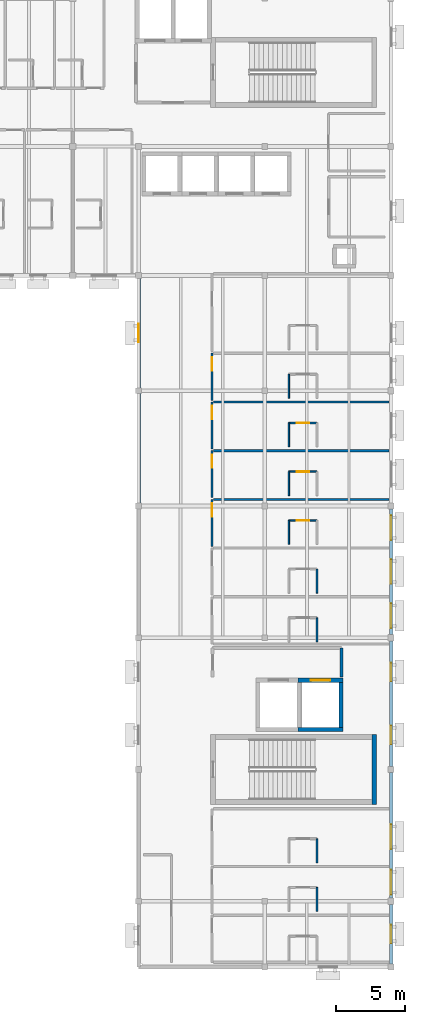
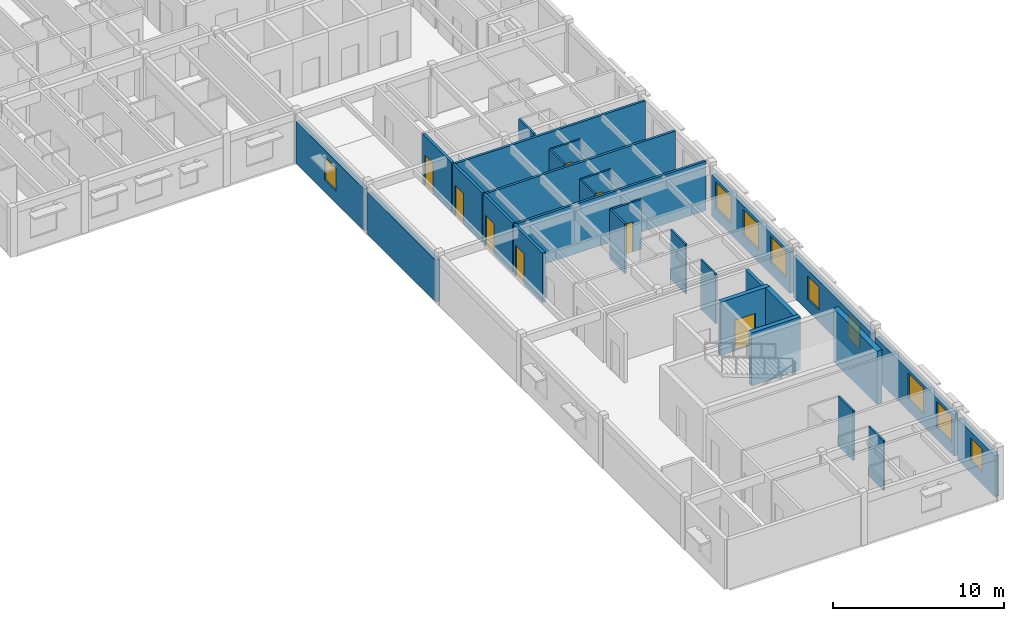
# One storey, part 6 of 14: 29 walls, 9 windows, 8 doors, 17 openings.
"""IFC4 building model written with IfcOpenShell, lengths in metres."""

from ifc_helpers import new_model, si_unit, direction, frame, frame_2d, origin, place, context, subcontext, project, spatial, rectangle, extrude, material, layer, layer_set, type_object, element, fill, save


model = new_model("IFC4")

# Units and contexts
model_context = context("Model", 3, precision=1e-05, world=origin(), true_north=direction((0.0, 1.0)))
body_context = subcontext(model_context, "Body", "Model", "MODEL_VIEW")
ifc_project = project(units=[si_unit("LENGTHUNIT", "METRE"), si_unit("AREAUNIT", "SQUARE_METRE"), si_unit("VOLUMEUNIT", "CUBIC_METRE"), si_unit("PLANEANGLEUNIT", "RADIAN"), si_unit("MASSUNIT", "GRAM", prefix="KILO")], contexts=[model_context])

# Site, building, storey
site_placement = place(None, origin())
site = spatial("IfcSite", under=ifc_project, at=site_placement, CompositionType="ELEMENT")
building_placement = place(site_placement, origin())
building = spatial("IfcBuilding", under=site, at=building_placement, Name="Veldera Park Congress Hotel", CompositionType="ELEMENT")
storey_placement = place(building_placement, frame((0.0, 0.0, 42.800048828125)))
storey = spatial("IfcBuildingStorey", under=building, at=storey_placement, Name="L10", CompositionType="ELEMENT", Elevation=42.800048828125)

# Wall, opening, window
ifc_material_1 = material(Name="Cross-laminated timber CLT V2M1.1", Category="wood")
ifc_layer_1 = layer(ifc_material_1, 0.264892578125)
ifc_layer_set_1 = layer_set([ifc_layer_1], Name="Cross-laminated timber CLT V2M1.1")
wall_type_1 = type_object("IfcWallType", Name="EW-CLT265", PredefinedType="STANDARD", material=ifc_layer_set_1)
wall_1_placement = place(storey_placement, frame((84.0, -23.177001953125, 0.0), z_axis=(0.0, 0.0, 1.0), x_axis=(0.0, 1.0, 0.0)))
wall_1 = element("IfcWall", 1, at=wall_1_placement, inside=storey, type_object=wall_type_1, Name="L10 Exterior Wall EW3-L10-0425", PredefinedType="STANDARD", context=body_context, shape_type="SweptSolid", body=[
    extrude(rectangle(XDim=4.35400390625, YDim=0.264892578125, at=frame_2d((2.177001953125, 0.0))), origin(), (0.0, 0.0, 1.0), 2.954833984375),
])
opening_1_placement = place(wall_1_placement, frame((1.501953125, 0.0, 0.85009765625)))
opening_1 = element("IfcOpeningElement", 2, at=opening_1_placement, cuts=wall_1, Name="Opening WIN-1350", PredefinedType="OPENING", context=body_context, shape_type="SweptSolid", body=[
    extrude(rectangle(XDim=1.35009765625, YDim=1.64990234375, at=frame_2d((0.675048828125, 0.824951171875))), frame((0.0, 0.14453125, 0.0), z_axis=(0.0, -1.0, 0.0), x_axis=(1.0, 0.0, 0.0)), (0.0, 0.0, 1.0), 0.288818359375),
])
ifc_material_2 = material(Name="Low-E Triple Insulating Glass Unit (SHGC 0.22)", Category="glass")
window_type_1 = type_object("IfcWindowType", Name="WIN-1350", PartitioningType="SINGLE_PANEL", PredefinedType="WINDOW", material=ifc_material_2)
window_1_placement = place(opening_1_placement, origin())
window_1 = element("IfcWindow", 3, at=window_1_placement, inside=storey, type_object=window_type_1, Name="L10 Window WIN-1350 327", OverallHeight=1.64990234375, OverallWidth=1.35009765625, PartitioningType="SINGLE_PANEL", PredefinedType="WINDOW", context=body_context, shape_type="SweptSolid", body=[
    extrude(rectangle(XDim=1.35009765625, YDim=1.64990234375, at=frame_2d((0.675048828125, 0.824951171875))), frame((0.0, 0.030029296875, 0.0), z_axis=(0.0, -1.0, 0.0), x_axis=(1.0, 0.0, 0.0)), (0.0, 0.0, 1.0), 0.06005859375),
])
fill(opening_1, window_1)

# Wall, openings, windows
wall_2_placement = place(storey_placement, frame((84.0, -18.376953125, 0.0), z_axis=(0.0, 0.0, 1.0), x_axis=(0.0, 1.0, 0.0)))
wall_2 = element("IfcWall", 4, at=wall_2_placement, inside=storey, type_object=wall_type_1, Name="L10 Exterior Wall EW3-L10-0426", PredefinedType="STANDARD", context=body_context, shape_type="SweptSolid", body=[
    extrude(rectangle(XDim=9.154052734375, YDim=0.264892578125, at=frame_2d((4.5771484375, 0.0))), origin(), (0.0, 0.0, 1.0), 2.954833984375),
])
opening_2_placement = place(wall_2_placement, frame((0.25341796875, 0.0, 0.85009765625)))
opening_2 = element("IfcOpeningElement", 5, at=opening_2_placement, cuts=wall_2, Name="Opening WIN-1800", PredefinedType="OPENING", context=body_context, shape_type="SweptSolid", body=[
    extrude(rectangle(XDim=1.800048828125, YDim=1.85009765625, at=frame_2d((0.89990234375, 0.925048828125))), frame((0.0, 0.14453125, 0.0), z_axis=(0.0, -1.0, 0.0), x_axis=(1.0, 0.0, 0.0)), (0.0, 0.0, 1.0), 0.288818359375),
])
opening_3_placement = place(wall_2_placement, frame((3.56689453125, 0.0, 0.85009765625)))
opening_3 = element("IfcOpeningElement", 6, at=opening_3_placement, cuts=wall_2, Name="Opening WIN-1800", PredefinedType="OPENING", context=body_context, shape_type="SweptSolid", body=[
    extrude(rectangle(XDim=1.800048828125, YDim=1.85009765625, at=frame_2d((0.89990234375, 0.925048828125))), frame((0.0, 0.14453125, 0.0), z_axis=(0.0, -1.0, 0.0), x_axis=(1.0, 0.0, 0.0)), (0.0, 0.0, 1.0), 0.288818359375),
])
window_type_2 = type_object("IfcWindowType", Name="WIN-1800", PartitioningType="SINGLE_PANEL", PredefinedType="WINDOW", material=ifc_material_2)
window_2_placement = place(opening_2_placement, origin())
window_2 = element("IfcWindow", 7, at=window_2_placement, inside=storey, type_object=window_type_2, Name="L10 Window WIN-1800 579", OverallHeight=1.85009765625, OverallWidth=1.800048828125, PartitioningType="SINGLE_PANEL", PredefinedType="WINDOW", context=body_context, shape_type="SweptSolid", body=[
    extrude(rectangle(XDim=1.800048828125, YDim=1.85009765625, at=frame_2d((0.89990234375, 0.925048828125))), frame((0.0, 0.030029296875, 0.0), z_axis=(0.0, -1.0, 0.0), x_axis=(1.0, 0.0, 0.0)), (0.0, 0.0, 1.0), 0.06005859375),
])
fill(opening_2, window_2)
window_3_placement = place(opening_3_placement, origin())
window_3 = element("IfcWindow", 8, at=window_3_placement, inside=storey, type_object=window_type_2, Name="L10 Window WIN-1800 580", OverallHeight=1.85009765625, OverallWidth=1.800048828125, PartitioningType="SINGLE_PANEL", PredefinedType="WINDOW", context=body_context, shape_type="SweptSolid", body=[
    extrude(rectangle(XDim=1.800048828125, YDim=1.85009765625, at=frame_2d((0.89990234375, 0.925048828125))), frame((0.0, 0.030029296875, 0.0), z_axis=(0.0, -1.0, 0.0), x_axis=(1.0, 0.0, 0.0)), (0.0, 0.0, 1.0), 0.06005859375),
])
fill(opening_3, window_3)

wall_3_placement = place(storey_placement, frame((84.0, -8.777099609375, 0.0), z_axis=(0.0, 0.0, 1.0), x_axis=(0.0, 1.0, 0.0)))
wall_3 = element("IfcWall", 9, at=wall_3_placement, inside=storey, type_object=wall_type_1, Name="L10 Exterior Wall EW3-L10-0427", PredefinedType="STANDARD", context=body_context, shape_type="SweptSolid", body=[
    extrude(rectangle(XDim=9.154052734375, YDim=0.264892578125, at=frame_2d((4.5771484375, 0.0))), origin(), (0.0, 0.0, 1.0), 2.954833984375),
])
opening_4_placement = place(wall_3_placement, frame((1.613525390625, 0.0, 0.85009765625)))
opening_4 = element("IfcOpeningElement", 10, at=opening_4_placement, cuts=wall_3, Name="Opening WIN-1350", PredefinedType="OPENING", context=body_context, shape_type="SweptSolid", body=[
    extrude(rectangle(XDim=1.35009765625, YDim=1.64990234375, at=frame_2d((0.675048828125, 0.824951171875))), frame((0.0, 0.14453125, 0.0), z_axis=(0.0, -1.0, 0.0), x_axis=(1.0, 0.0, 0.0)), (0.0, 0.0, 1.0), 0.288818359375),
])
opening_5_placement = place(wall_3_placement, frame((6.1904296875, 0.0, 0.85009765625)))
opening_5 = element("IfcOpeningElement", 11, at=opening_5_placement, cuts=wall_3, Name="Opening WIN-1350", PredefinedType="OPENING", context=body_context, shape_type="SweptSolid", body=[
    extrude(rectangle(XDim=1.35009765625, YDim=1.64990234375, at=frame_2d((0.675048828125, 0.824951171875))), frame((0.0, 0.14453125, 0.0), z_axis=(0.0, -1.0, 0.0), x_axis=(1.0, 0.0, 0.0)), (0.0, 0.0, 1.0), 0.288818359375),
])
window_4_placement = place(opening_4_placement, origin())
window_4 = element("IfcWindow", 12, at=window_4_placement, inside=storey, type_object=window_type_1, Name="L10 Window WIN-1350 328", OverallHeight=1.64990234375, OverallWidth=1.35009765625, PartitioningType="SINGLE_PANEL", PredefinedType="WINDOW", context=body_context, shape_type="SweptSolid", body=[
    extrude(rectangle(XDim=1.35009765625, YDim=1.64990234375, at=frame_2d((0.675048828125, 0.824951171875))), frame((0.0, 0.030029296875, 0.0), z_axis=(0.0, -1.0, 0.0), x_axis=(1.0, 0.0, 0.0)), (0.0, 0.0, 1.0), 0.06005859375),
])
fill(opening_4, window_4)
window_5_placement = place(opening_5_placement, origin())
window_5 = element("IfcWindow", 13, at=window_5_placement, inside=storey, type_object=window_type_1, Name="L10 Window WIN-1350 329", OverallHeight=1.64990234375, OverallWidth=1.35009765625, PartitioningType="SINGLE_PANEL", PredefinedType="WINDOW", context=body_context, shape_type="SweptSolid", body=[
    extrude(rectangle(XDim=1.35009765625, YDim=1.64990234375, at=frame_2d((0.675048828125, 0.824951171875))), frame((0.0, 0.030029296875, 0.0), z_axis=(0.0, -1.0, 0.0), x_axis=(1.0, 0.0, 0.0)), (0.0, 0.0, 1.0), 0.06005859375),
])
fill(opening_5, window_5)

wall_4_placement = place(storey_placement, frame((84.0, 0.822998046875, 0.0), z_axis=(0.0, 0.0, 1.0), x_axis=(0.0, 1.0, 0.0)))
wall_4 = element("IfcWall", 14, at=wall_4_placement, inside=storey, type_object=wall_type_1, Name="L10 Exterior Wall EW3-L10-0428", PredefinedType="STANDARD", context=body_context, shape_type="SweptSolid", body=[
    extrude(rectangle(XDim=9.154052734375, YDim=0.264892578125, at=frame_2d((4.5771484375, 0.0))), origin(), (0.0, 0.0, 1.0), 2.954833984375),
])
opening_6_placement = place(wall_4_placement, frame((0.478515625, 0.0, 0.85009765625)))
opening_6 = element("IfcOpeningElement", 15, at=opening_6_placement, cuts=wall_4, Name="Opening WIN-1800", PredefinedType="OPENING", context=body_context, shape_type="SweptSolid", body=[
    extrude(rectangle(XDim=1.800048828125, YDim=1.85009765625, at=frame_2d((0.89990234375, 0.925048828125))), frame((0.0, 0.14453125, 0.0), z_axis=(0.0, -1.0, 0.0), x_axis=(1.0, 0.0, 0.0)), (0.0, 0.0, 1.0), 0.288818359375),
])
opening_7_placement = place(wall_4_placement, frame((3.69189453125, 0.0, 0.85009765625)))
opening_7 = element("IfcOpeningElement", 16, at=opening_7_placement, cuts=wall_4, Name="Opening WIN-1800", PredefinedType="OPENING", context=body_context, shape_type="SweptSolid", body=[
    extrude(rectangle(XDim=1.800048828125, YDim=1.85009765625, at=frame_2d((0.89990234375, 0.925048828125))), frame((0.0, 0.14453125, 0.0), z_axis=(0.0, -1.0, 0.0), x_axis=(1.0, 0.0, 0.0)), (0.0, 0.0, 1.0), 0.288818359375),
])
opening_8_placement = place(wall_4_placement, frame((6.890380859375, 0.0, 0.85009765625)))
opening_8 = element("IfcOpeningElement", 17, at=opening_8_placement, cuts=wall_4, Name="Opening WIN-1800", PredefinedType="OPENING", context=body_context, shape_type="SweptSolid", body=[
    extrude(rectangle(XDim=1.800048828125, YDim=1.85009765625, at=frame_2d((0.89990234375, 0.925048828125))), frame((0.0, 0.14453125, 0.0), z_axis=(0.0, -1.0, 0.0), x_axis=(1.0, 0.0, 0.0)), (0.0, 0.0, 1.0), 0.288818359375),
])
window_6_placement = place(opening_6_placement, origin())
window_6 = element("IfcWindow", 18, at=window_6_placement, inside=storey, type_object=window_type_2, Name="L10 Window WIN-1800 581", OverallHeight=1.85009765625, OverallWidth=1.800048828125, PartitioningType="SINGLE_PANEL", PredefinedType="WINDOW", context=body_context, shape_type="SweptSolid", body=[
    extrude(rectangle(XDim=1.800048828125, YDim=1.85009765625, at=frame_2d((0.89990234375, 0.925048828125))), frame((0.0, 0.030029296875, 0.0), z_axis=(0.0, -1.0, 0.0), x_axis=(1.0, 0.0, 0.0)), (0.0, 0.0, 1.0), 0.06005859375),
])
fill(opening_6, window_6)
window_7_placement = place(opening_7_placement, origin())
window_7 = element("IfcWindow", 19, at=window_7_placement, inside=storey, type_object=window_type_2, Name="L10 Window WIN-1800 582", OverallHeight=1.85009765625, OverallWidth=1.800048828125, PartitioningType="SINGLE_PANEL", PredefinedType="WINDOW", context=body_context, shape_type="SweptSolid", body=[
    extrude(rectangle(XDim=1.800048828125, YDim=1.85009765625, at=frame_2d((0.89990234375, 0.925048828125))), frame((0.0, 0.030029296875, 0.0), z_axis=(0.0, -1.0, 0.0), x_axis=(1.0, 0.0, 0.0)), (0.0, 0.0, 1.0), 0.06005859375),
])
fill(opening_7, window_7)
window_8_placement = place(opening_8_placement, origin())
window_8 = element("IfcWindow", 20, at=window_8_placement, inside=storey, type_object=window_type_2, Name="L10 Window WIN-1800 583", OverallHeight=1.85009765625, OverallWidth=1.800048828125, PartitioningType="SINGLE_PANEL", PredefinedType="WINDOW", context=body_context, shape_type="SweptSolid", body=[
    extrude(rectangle(XDim=1.800048828125, YDim=1.85009765625, at=frame_2d((0.89990234375, 0.925048828125))), frame((0.0, 0.030029296875, 0.0), z_axis=(0.0, -1.0, 0.0), x_axis=(1.0, 0.0, 0.0)), (0.0, 0.0, 1.0), 0.06005859375),
])
fill(opening_8, window_8)

# Wall, opening, window
wall_5_placement = place(storey_placement, frame((65.60009765625, 26.7919921875, 0.0), z_axis=(0.0, 0.0, 1.0), x_axis=(0.0, -1.0, 0.0)))
wall_5 = element("IfcWall", 21, at=wall_5_placement, inside=storey, type_object=wall_type_1, Name="L10 Exterior Wall EW3-L10-0443", PredefinedType="STANDARD", context=body_context, shape_type="SweptSolid", body=[
    extrude(rectangle(XDim=7.98388671875, YDim=0.264892578125, at=frame_2d((3.991943359375, 0.0))), origin(), (0.0, 0.0, 1.0), 2.994873046875),
])
opening_9_placement = place(wall_5_placement, frame((3.31689453125, 0.0, 0.85009765625)))
opening_9 = element("IfcOpeningElement", 22, at=opening_9_placement, cuts=wall_5, Name="Opening WIN-1350", PredefinedType="OPENING", context=body_context, shape_type="SweptSolid", body=[
    extrude(rectangle(XDim=1.35009765625, YDim=1.64990234375, at=frame_2d((0.675048828125, 0.824951171875))), frame((0.0, 0.14453125, 0.0), z_axis=(0.0, -1.0, 0.0), x_axis=(1.0, 0.0, 0.0)), (0.0, 0.0, 1.0), 0.288818359375),
])
window_9_placement = place(opening_9_placement, origin())
window_9 = element("IfcWindow", 23, at=window_9_placement, inside=storey, type_object=window_type_1, Name="L10 Window WIN-1350 339", OverallHeight=1.64990234375, OverallWidth=1.35009765625, PartitioningType="SINGLE_PANEL", PredefinedType="WINDOW", context=body_context, shape_type="SweptSolid", body=[
    extrude(rectangle(XDim=1.35009765625, YDim=1.64990234375, at=frame_2d((0.675048828125, 0.824951171875))), frame((0.0, 0.030029296875, 0.0), z_axis=(0.0, -1.0, 0.0), x_axis=(1.0, 0.0, 0.0)), (0.0, 0.0, 1.0), 0.06005859375),
])
fill(opening_9, window_9)

# Walls
wall_6_placement = place(storey_placement, frame((65.60009765625, 18.39208984375, 0.0), z_axis=(0.0, 0.0, 1.0), x_axis=(0.0, -1.0, 0.0)))
element("IfcWall", 24, at=wall_6_placement, inside=storey, type_object=wall_type_1, Name="L10 Exterior Wall EW3-L10-0444", PredefinedType="STANDARD", context=body_context, shape_type="SweptSolid", body=[
    extrude(rectangle(XDim=7.984130859375, YDim=0.264892578125, at=frame_2d((3.9921875, 0.0))), origin(), (0.0, 0.0, 1.0), 2.994873046875),
])
ifc_material_3 = material(Name="Fire-Rated Gypsum Board on Cold-Formed Steel Studs", Category="steel")
ifc_layer_2 = layer(ifc_material_3, 0.1201171875)
ifc_layer_set_2 = layer_set([ifc_layer_2], Name="Fire-Rated Gypsum Board on Cold-Formed Steel Studs")
wall_type_2 = type_object("IfcWallType", Name="IW-BATH120", PredefinedType="PARTITIONING", material=ifc_layer_set_2)
for number, where, z_axis, x_axis, name in (
    (25, (78.60009765625, -19.35009765625, 0.0), (0.0, 0.0, 1.0), (0.0, 1.0, 0.0), "L10 Partition Wall IW3-L10-01697"),
    (26, (78.60009765625, -15.800048828125, 0.0), (0.0, 0.0, 1.0), (0.0, 1.0, 0.0), "L10 Partition Wall IW3-L10-01702"),
    (27, (78.60009765625, 0.300048828125, 0.0), (0.0, 0.0, 1.0), (0.0, 1.0, 0.0), "L10 Partition Wall IW3-L10-01708"),
    (28, (78.60009765625, 3.85009765625, 0.0), (0.0, 0.0, 1.0), (0.0, 1.0, 0.0), "L10 Partition Wall IW3-L10-01713"),
    (29, (76.550048828125, 7.39990234375, 0.0), (0.0, 0.0, 1.0), (0.0, 1.0, 0.0), "L10 Partition Wall IW3-L10-01717"),
):
    element("IfcWall", number, at=place(storey_placement, frame(where, z_axis=z_axis, x_axis=x_axis)), inside=storey, type_object=wall_type_2, Name=name, PredefinedType="PARTITIONING", context=body_context, shape_type="SweptSolid", body=[
        extrude(rectangle(XDim=1.75, YDim=0.1201171875, at=frame_2d((0.875, 0.0))), origin(), (0.0, 0.0, 1.0), 3.5400390625),
    ])

# Wall, opening, door
wall_7_placement = place(storey_placement, frame((76.550048828125, 9.14990234375, 0.0), z_axis=(0.0, 0.0, 1.0), x_axis=(1.0, 0.0, 0.0)))
wall_7 = element("IfcWall", 30, at=wall_7_placement, inside=storey, type_object=wall_type_2, Name="L10 Partition Wall IW3-L10-01719", PredefinedType="PARTITIONING", context=body_context, shape_type="SweptSolid", body=[
    extrude(rectangle(XDim=2.050048828125, YDim=0.1201171875, at=frame_2d((1.02490234375, 0.0))), origin(), (0.0, 0.0, 1.0), 3.5400390625),
])
opening_10_placement = place(wall_7_placement, frame((0.574951171875, 0.0, 0.0)))
opening_10 = element("IfcOpeningElement", 31, at=opening_10_placement, cuts=wall_7, Name="Opening ID-BATH090", PredefinedType="OPENING", context=body_context, shape_type="SweptSolid", body=[
    extrude(rectangle(XDim=0.89990234375, YDim=2.14990234375, at=frame_2d((0.449951171875, 1.074951171875))), frame((0.0, 0.072021484375, 0.0), z_axis=(0.0, -1.0, 0.0), x_axis=(1.0, 0.0, 0.0)), (0.0, 0.0, 1.0), 0.14404296875),
])
ifc_material_4 = material(Name="Solid Core White Oak Architectural Door", Category="wood")
door_type_1 = type_object("IfcDoorType", Name="ID-BATH090", OperationType="NOTDEFINED", PredefinedType="DOOR", material=ifc_material_4)
door_1_placement = place(opening_10_placement, origin())
door_1 = element("IfcDoor", 32, at=door_1_placement, inside=storey, type_object=door_type_1, Name="L10 En-suite 283 Door ID3-L10-0705 (DR3-ID3-L10-0705)", OperationType="SINGLE_SWING_LEFT", OverallHeight=2.14990234375, OverallWidth=0.89990234375, PredefinedType="DOOR", context=body_context, shape_type="SweptSolid", body=[
    extrude(rectangle(XDim=0.89990234375, YDim=2.14990234375, at=frame_2d((0.449951171875, 1.074951171875))), frame((0.0, 0.02490234375, 0.0), z_axis=(0.0, -1.0, 0.0), x_axis=(1.0, 0.0, 0.0)), (0.0, 0.0, 1.0), 0.050048828125),
])
fill(opening_10, door_1)

# Wall
wall_8_placement = place(storey_placement, frame((76.550048828125, 10.949951171875, 0.0), z_axis=(0.0, 0.0, 1.0), x_axis=(0.0, 1.0, 0.0)))
element("IfcWall", 33, at=wall_8_placement, inside=storey, type_object=wall_type_2, Name="L10 Partition Wall IW3-L10-01722", PredefinedType="PARTITIONING", context=body_context, shape_type="SweptSolid", body=[
    extrude(rectangle(XDim=1.75, YDim=0.1201171875, at=frame_2d((0.875, 0.0))), origin(), (0.0, 0.0, 1.0), 3.5400390625),
])

# Wall, opening, door
wall_9_placement = place(storey_placement, frame((76.550048828125, 12.699951171875, 0.0), z_axis=(0.0, 0.0, 1.0), x_axis=(1.0, 0.0, 0.0)))
wall_9 = element("IfcWall", 34, at=wall_9_placement, inside=storey, type_object=wall_type_2, Name="L10 Partition Wall IW3-L10-01724", PredefinedType="PARTITIONING", context=body_context, shape_type="SweptSolid", body=[
    extrude(rectangle(XDim=2.050048828125, YDim=0.1201171875, at=frame_2d((1.02490234375, 0.0))), origin(), (0.0, 0.0, 1.0), 3.5400390625),
])
opening_11_placement = place(wall_9_placement, frame((0.574951171875, 0.0, 0.0)))
opening_11 = element("IfcOpeningElement", 35, at=opening_11_placement, cuts=wall_9, Name="Opening ID-BATH090", PredefinedType="OPENING", context=body_context, shape_type="SweptSolid", body=[
    extrude(rectangle(XDim=0.89990234375, YDim=2.14990234375, at=frame_2d((0.449951171875, 1.074951171875))), frame((0.0, 0.072021484375, 0.0), z_axis=(0.0, -1.0, 0.0), x_axis=(1.0, 0.0, 0.0)), (0.0, 0.0, 1.0), 0.14404296875),
])
door_2_placement = place(opening_11_placement, origin())
door_2 = element("IfcDoor", 36, at=door_2_placement, inside=storey, type_object=door_type_1, Name="L10 En-suite 284 Door ID3-L10-0707 (DR3-ID3-L10-0707)", OperationType="SINGLE_SWING_LEFT", OverallHeight=2.14990234375, OverallWidth=0.89990234375, PredefinedType="DOOR", context=body_context, shape_type="SweptSolid", body=[
    extrude(rectangle(XDim=0.89990234375, YDim=2.14990234375, at=frame_2d((0.449951171875, 1.074951171875))), frame((0.0, 0.02490234375, 0.0), z_axis=(0.0, -1.0, 0.0), x_axis=(1.0, 0.0, 0.0)), (0.0, 0.0, 1.0), 0.050048828125),
])
fill(opening_11, door_2)

# Wall
wall_10_placement = place(storey_placement, frame((76.550048828125, 14.5, 0.0), z_axis=(0.0, 0.0, 1.0), x_axis=(0.0, 1.0, 0.0)))
element("IfcWall", 37, at=wall_10_placement, inside=storey, type_object=wall_type_2, Name="L10 Partition Wall IW3-L10-01727", PredefinedType="PARTITIONING", context=body_context, shape_type="SweptSolid", body=[
    extrude(rectangle(XDim=1.75, YDim=0.1201171875, at=frame_2d((0.875, 0.0))), origin(), (0.0, 0.0, 1.0), 3.5400390625),
])

# Wall, opening, door
wall_11_placement = place(storey_placement, frame((76.550048828125, 16.25, 0.0), z_axis=(0.0, 0.0, 1.0), x_axis=(1.0, 0.0, 0.0)))
wall_11 = element("IfcWall", 38, at=wall_11_placement, inside=storey, type_object=wall_type_2, Name="L10 Partition Wall IW3-L10-01729", PredefinedType="PARTITIONING", context=body_context, shape_type="SweptSolid", body=[
    extrude(rectangle(XDim=2.050048828125, YDim=0.1201171875, at=frame_2d((1.02490234375, 0.0))), origin(), (0.0, 0.0, 1.0), 3.5400390625),
])
opening_12_placement = place(wall_11_placement, frame((0.574951171875, 0.0, 0.0)))
opening_12 = element("IfcOpeningElement", 39, at=opening_12_placement, cuts=wall_11, Name="Opening ID-BATH090", PredefinedType="OPENING", context=body_context, shape_type="SweptSolid", body=[
    extrude(rectangle(XDim=0.89990234375, YDim=2.14990234375, at=frame_2d((0.449951171875, 1.074951171875))), frame((0.0, 0.072021484375, 0.0), z_axis=(0.0, -1.0, 0.0), x_axis=(1.0, 0.0, 0.0)), (0.0, 0.0, 1.0), 0.14404296875),
])
door_3_placement = place(opening_12_placement, origin())
door_3 = element("IfcDoor", 40, at=door_3_placement, inside=storey, type_object=door_type_1, Name="L10 En-suite 285 Door ID3-L10-0709 (DR3-ID3-L10-0709)", OperationType="SINGLE_SWING_LEFT", OverallHeight=2.14990234375, OverallWidth=0.89990234375, PredefinedType="DOOR", context=body_context, shape_type="SweptSolid", body=[
    extrude(rectangle(XDim=0.89990234375, YDim=2.14990234375, at=frame_2d((0.449951171875, 1.074951171875))), frame((0.0, 0.02490234375, 0.0), z_axis=(0.0, -1.0, 0.0), x_axis=(1.0, 0.0, 0.0)), (0.0, 0.0, 1.0), 0.050048828125),
])
fill(opening_12, door_3)

# Wall
wall_12_placement = place(storey_placement, frame((76.550048828125, 18.050048828125, 0.0), z_axis=(0.0, 0.0, 1.0), x_axis=(0.0, 1.0, 0.0)))
element("IfcWall", 41, at=wall_12_placement, inside=storey, type_object=wall_type_2, Name="L10 Partition Wall IW3-L10-01732", PredefinedType="PARTITIONING", context=body_context, shape_type="SweptSolid", body=[
    extrude(rectangle(XDim=1.75, YDim=0.1201171875, at=frame_2d((0.875, 0.0))), origin(), (0.0, 0.0, 1.0), 3.5400390625),
])

# Wall, opening, door
ifc_layer_3 = layer(ifc_material_3, 0.179931640625)
ifc_layer_set_3 = layer_set([ifc_layer_3], Name="Fire-Rated Gypsum Board on Cold-Formed Steel Studs")
wall_type_3 = type_object("IfcWallType", Name="IW-CORR180", PredefinedType="PARTITIONING", material=ifc_layer_set_3)
wall_13_placement = place(storey_placement, frame((70.949951171875, 10.679931640625, 0.0), z_axis=(0.0, 0.0, 1.0), x_axis=(0.0, -1.0, 0.0)))
wall_13 = element("IfcWall", 42, at=wall_13_placement, inside=storey, type_object=wall_type_3, Name="L10 Corridor Wall IW3-L10-01715", PredefinedType="PARTITIONING", context=body_context, shape_type="SweptSolid", body=[
    extrude(rectangle(XDim=3.429931640625, YDim=0.179931640625, at=frame_2d((1.71484375, 0.0))), origin(), (0.0, 0.0, 1.0), 3.5400390625),
])
opening_13_placement = place(wall_13_placement, frame((0.280029296875, 0.0, 0.0)))
opening_13 = element("IfcOpeningElement", 43, at=opening_13_placement, cuts=wall_13, Name="Opening ID-UNIT098", PredefinedType="OPENING", context=body_context, shape_type="SweptSolid", body=[
    extrude(rectangle(XDim=0.97998046875, YDim=2.179931640625, at=frame_2d((0.489990234375, 1.08984375))), frame((0.0, 0.10205078125, 0.0), z_axis=(0.0, -1.0, 0.0), x_axis=(1.0, 0.0, 0.0)), (0.0, 0.0, 1.0), 0.203857421875),
])
door_type_2 = type_object("IfcDoorType", Name="ID-UNIT098", OperationType="NOTDEFINED", PredefinedType="DOOR", material=ifc_material_4)
door_4_placement = place(opening_13_placement, origin())
door_4 = element("IfcDoor", 44, at=door_4_placement, inside=storey, type_object=door_type_2, Name="L10 Guestroom 283 Entry Door (DR3-UD3-L10-283)", OperationType="SINGLE_SWING_RIGHT", OverallHeight=2.179931640625, OverallWidth=0.97998046875, PredefinedType="DOOR", context=body_context, shape_type="SweptSolid", body=[
    extrude(rectangle(XDim=0.97998046875, YDim=2.179931640625, at=frame_2d((0.489990234375, 1.08984375))), frame((0.0, 0.02490234375, 0.0), z_axis=(0.0, -1.0, 0.0), x_axis=(1.0, 0.0, 0.0)), (0.0, 0.0, 1.0), 0.050048828125),
])
fill(opening_13, door_4)

wall_14_placement = place(storey_placement, frame((70.949951171875, 14.22998046875, 0.0), z_axis=(0.0, 0.0, 1.0), x_axis=(0.0, -1.0, 0.0)))
wall_14 = element("IfcWall", 45, at=wall_14_placement, inside=storey, type_object=wall_type_3, Name="L10 Corridor Wall IW3-L10-01720", PredefinedType="PARTITIONING", context=body_context, shape_type="SweptSolid", body=[
    extrude(rectangle(XDim=3.429931640625, YDim=0.179931640625, at=frame_2d((1.71484375, 0.0))), origin(), (0.0, 0.0, 1.0), 3.5400390625),
])
opening_14_placement = place(wall_14_placement, frame((0.280029296875, 0.0, 0.0)))
opening_14 = element("IfcOpeningElement", 46, at=opening_14_placement, cuts=wall_14, Name="Opening ID-UNIT098", PredefinedType="OPENING", context=body_context, shape_type="SweptSolid", body=[
    extrude(rectangle(XDim=0.97998046875, YDim=2.179931640625, at=frame_2d((0.489990234375, 1.08984375))), frame((0.0, 0.10205078125, 0.0), z_axis=(0.0, -1.0, 0.0), x_axis=(1.0, 0.0, 0.0)), (0.0, 0.0, 1.0), 0.203857421875),
])
door_5_placement = place(opening_14_placement, origin())
door_5 = element("IfcDoor", 47, at=door_5_placement, inside=storey, type_object=door_type_2, Name="L10 Guestroom 284 Entry Door (DR3-UD3-L10-284)", OperationType="SINGLE_SWING_RIGHT", OverallHeight=2.179931640625, OverallWidth=0.97998046875, PredefinedType="DOOR", context=body_context, shape_type="SweptSolid", body=[
    extrude(rectangle(XDim=0.97998046875, YDim=2.179931640625, at=frame_2d((0.489990234375, 1.08984375))), frame((0.0, 0.02490234375, 0.0), z_axis=(0.0, -1.0, 0.0), x_axis=(1.0, 0.0, 0.0)), (0.0, 0.0, 1.0), 0.050048828125),
])
fill(opening_14, door_5)

wall_15_placement = place(storey_placement, frame((70.949951171875, 17.780029296875, 0.0), z_axis=(0.0, 0.0, 1.0), x_axis=(0.0, -1.0, 0.0)))
wall_15 = element("IfcWall", 48, at=wall_15_placement, inside=storey, type_object=wall_type_3, Name="L10 Corridor Wall IW3-L10-01725", PredefinedType="PARTITIONING", context=body_context, shape_type="SweptSolid", body=[
    extrude(rectangle(XDim=3.429931640625, YDim=0.179931640625, at=frame_2d((1.71484375, 0.0))), origin(), (0.0, 0.0, 1.0), 3.5400390625),
])
opening_15_placement = place(wall_15_placement, frame((0.280029296875, 0.0, 0.0)))
opening_15 = element("IfcOpeningElement", 49, at=opening_15_placement, cuts=wall_15, Name="Opening ID-UNIT098", PredefinedType="OPENING", context=body_context, shape_type="SweptSolid", body=[
    extrude(rectangle(XDim=0.97998046875, YDim=2.179931640625, at=frame_2d((0.489990234375, 1.08984375))), frame((0.0, 0.10205078125, 0.0), z_axis=(0.0, -1.0, 0.0), x_axis=(1.0, 0.0, 0.0)), (0.0, 0.0, 1.0), 0.203857421875),
])
door_6_placement = place(opening_15_placement, origin())
door_6 = element("IfcDoor", 50, at=door_6_placement, inside=storey, type_object=door_type_2, Name="L10 Guestroom 285 Entry Door (DR3-UD3-L10-285)", OperationType="SINGLE_SWING_RIGHT", OverallHeight=2.179931640625, OverallWidth=0.97998046875, PredefinedType="DOOR", context=body_context, shape_type="SweptSolid", body=[
    extrude(rectangle(XDim=0.97998046875, YDim=2.179931640625, at=frame_2d((0.489990234375, 1.08984375))), frame((0.0, 0.02490234375, 0.0), z_axis=(0.0, -1.0, 0.0), x_axis=(1.0, 0.0, 0.0)), (0.0, 0.0, 1.0), 0.050048828125),
])
fill(opening_15, door_6)

wall_16_placement = place(storey_placement, frame((70.949951171875, 21.330078125, 0.0), z_axis=(0.0, 0.0, 1.0), x_axis=(0.0, -1.0, 0.0)))
wall_16 = element("IfcWall", 51, at=wall_16_placement, inside=storey, type_object=wall_type_3, Name="L10 Corridor Wall IW3-L10-01730", PredefinedType="PARTITIONING", context=body_context, shape_type="SweptSolid", body=[
    extrude(rectangle(XDim=3.43017578125, YDim=0.179931640625, at=frame_2d((1.715087890625, 0.0))), origin(), (0.0, 0.0, 1.0), 3.5400390625),
])
opening_16_placement = place(wall_16_placement, frame((0.280029296875, 0.0, 0.0)))
opening_16 = element("IfcOpeningElement", 52, at=opening_16_placement, cuts=wall_16, Name="Opening ID-UNIT098", PredefinedType="OPENING", context=body_context, shape_type="SweptSolid", body=[
    extrude(rectangle(XDim=0.97998046875, YDim=2.179931640625, at=frame_2d((0.489990234375, 1.08984375))), frame((0.0, 0.10205078125, 0.0), z_axis=(0.0, -1.0, 0.0), x_axis=(1.0, 0.0, 0.0)), (0.0, 0.0, 1.0), 0.203857421875),
])
door_7_placement = place(opening_16_placement, origin())
door_7 = element("IfcDoor", 53, at=door_7_placement, inside=storey, type_object=door_type_2, Name="L10 Guestroom 286 Entry Door (DR3-UD3-L10-286)", OperationType="SINGLE_SWING_RIGHT", OverallHeight=2.179931640625, OverallWidth=0.97998046875, PredefinedType="DOOR", context=body_context, shape_type="SweptSolid", body=[
    extrude(rectangle(XDim=0.97998046875, YDim=2.179931640625, at=frame_2d((0.489990234375, 1.08984375))), frame((0.0, 0.02490234375, 0.0), z_axis=(0.0, -1.0, 0.0), x_axis=(1.0, 0.0, 0.0)), (0.0, 0.0, 1.0), 0.050048828125),
])
fill(opening_16, door_7)

# Walls
ifc_material_5 = material(Name="Concrete f'c 40 MPa (5,800 psi)", Category="concrete")
ifc_layer_4 = layer(ifc_material_5, 0.219970703125)
ifc_layer_set_4 = layer_set([ifc_layer_4], Name="Concrete f'c 40 MPa (5,800 psi)")
wall_type_4 = type_object("IfcWallType", Name="IW-FIRE220", PredefinedType="STANDARD", material=ifc_layer_set_4)
wall_17_placement = place(storey_placement, frame((80.39990234375, -2.25, 0.0), z_axis=(0.0, 0.0, 1.0), x_axis=(0.0, 1.0, 0.0)))
element("IfcWall", 54, at=wall_17_placement, inside=storey, type_object=wall_type_4, Name="L10 Partition Wall IW3-L10-00334", PredefinedType="STANDARD", context=body_context, shape_type="SweptSolid", body=[
    extrude(rectangle(XDim=2.10009765625, YDim=0.219970703125, at=frame_2d((1.050048828125, 0.0))), origin(), (0.0, 0.0, 1.0), 3.5400390625),
])
ifc_layer_5 = layer(ifc_material_1, 0.159912109375)
ifc_layer_set_5 = layer_set([ifc_layer_5], Name="Cross-laminated timber CLT V2M1.1")
wall_type_5 = type_object("IfcWallType", Name="IW-UNIT160", PredefinedType="PARTITIONING", material=ifc_layer_set_5)
for number, where, z_axis, x_axis, name in (
    (55, (71.050048828125, 10.679931640625, 0.0), (0.0, 0.0, 1.0), (1.0, 0.0, 0.0), "L10 Partition Wall IW3-L10-01716"),
    (56, (71.050048828125, 14.22998046875, 0.0), (0.0, 0.0, 1.0), (1.0, 0.0, 0.0), "L10 Partition Wall IW3-L10-01721"),
    (57, (71.050048828125, 17.780029296875, 0.0), (0.0, 0.0, 1.0), (1.0, 0.0, 0.0), "L10 Partition Wall IW3-L10-01726"),
):
    element("IfcWall", number, at=place(storey_placement, frame(where, z_axis=z_axis, x_axis=x_axis)), inside=storey, type_object=wall_type_5, Name=name, PredefinedType="PARTITIONING", context=body_context, shape_type="SweptSolid", body=[
        extrude(rectangle(XDim=12.7900390625, YDim=0.159912109375, at=frame_2d((6.39501953125, 0.0))), origin(), (0.0, 0.0, 1.0), 3.5400390625),
    ])
ifc_layer_6 = layer(ifc_material_5, 0.35009765625)
ifc_layer_set_6 = layer_set([ifc_layer_6], Name="Concrete f'c 40 MPa (5,800 psi)")
wall_type_6 = type_object("IfcWallType", Name="SW-CORE350", PredefinedType="SHEAR", material=ifc_layer_set_6)
wall_18_placement = place(storey_placement, frame((82.77490234375, -11.550048828125, 0.0), z_axis=(0.0, 0.0, 1.0), x_axis=(0.0, 1.0, 0.0)))
element("IfcWall", 58, at=wall_18_placement, inside=storey, type_object=wall_type_6, Name="Stair ST2 Core Wall L10-E", PredefinedType="SHEAR", context=body_context, shape_type="SweptSolid", body=[
    extrude(rectangle(XDim=5.10009765625, YDim=0.35009765625, at=frame_2d((2.550048828125, 0.0))), origin(), (0.0, 0.0, 1.0), 3.800048828125),
])
ifc_layer_7 = layer(ifc_material_5, 0.300048828125)
ifc_layer_set_7 = layer_set([ifc_layer_7], Name="Concrete f'c 40 MPa (5,800 psi)")
wall_type_7 = type_object("IfcWallType", Name="SW-SHFT300", PredefinedType="SHEAR", material=ifc_layer_set_7)
wall_19_placement = place(storey_placement, frame((77.199951171875, -6.10009765625, 0.0), z_axis=(0.0, 0.0, 1.0), x_axis=(1.0, 0.0, 0.0)))
element("IfcWall", 59, at=wall_19_placement, inside=storey, type_object=wall_type_7, Name="Lift SL-02 Shaft Wall L10-S", PredefinedType="SHEAR", context=body_context, shape_type="SweptSolid", body=[
    extrude(rectangle(XDim=3.300048828125, YDim=0.300048828125, at=frame_2d((1.64990234375, 0.0))), origin(), (0.0, 0.0, 1.0), 3.800048828125),
])

# Wall, opening, door
wall_20_placement = place(storey_placement, frame((80.5, -2.5, 0.0), z_axis=(0.0, 0.0, 1.0), x_axis=(-1.0, 0.0, 0.0)))
wall_20 = element("IfcWall", 60, at=wall_20_placement, inside=storey, type_object=wall_type_7, Name="Lift SL-02 Shaft Wall L10-N", PredefinedType="SHEAR", context=body_context, shape_type="SweptSolid", body=[
    extrude(rectangle(XDim=3.300048828125, YDim=0.300048828125, at=frame_2d((1.64990234375, 0.0))), origin(), (0.0, 0.0, 1.0), 3.800048828125),
])
opening_17_placement = place(wall_20_placement, frame((0.949951171875, 0.0, 0.0)))
opening_17 = element("IfcOpeningElement", 61, at=opening_17_placement, cuts=wall_20, Name="Opening LD-140", PredefinedType="OPENING", context=body_context, shape_type="SweptSolid", body=[
    extrude(rectangle(XDim=1.39990234375, YDim=2.199951171875, at=frame_2d((0.699951171875, 1.10009765625))), frame((0.0, 0.162109375, 0.0), z_axis=(0.0, -1.0, 0.0), x_axis=(1.0, 0.0, 0.0)), (0.0, 0.0, 1.0), 0.323974609375),
])
ifc_material_6 = material(Name="Hollow Metal Fire-Rated Steel Door", Category="steel")
door_type_3 = type_object("IfcDoorType", Name="LD-140", OperationType="DOUBLE_DOOR_SLIDING", PredefinedType="DOOR", material=ifc_material_6)
door_8_placement = place(opening_17_placement, origin())
door_8 = element("IfcDoor", 62, at=door_8_placement, inside=storey, type_object=door_type_3, Name="L10 Lift SL-02 Landing Door (DR3-LD-SL-02-L10)", OperationType="DOUBLE_DOOR_SLIDING", OverallHeight=2.199951171875, OverallWidth=1.39990234375, PredefinedType="DOOR", context=body_context, shape_type="SweptSolid", body=[
    extrude(rectangle(XDim=1.39990234375, YDim=2.199951171875, at=frame_2d((0.699951171875, 1.10009765625))), frame((0.0, 0.02490234375, 0.0), z_axis=(0.0, -1.0, 0.0), x_axis=(1.0, 0.0, 0.0)), (0.0, 0.0, 1.0), 0.050048828125),
])
fill(opening_17, door_8)

# Wall
wall_21_placement = place(storey_placement, frame((80.35009765625, -5.949951171875, 0.0), z_axis=(0.0, 0.0, 1.0), x_axis=(0.0, 1.0, 0.0)))
element("IfcWall", 63, at=wall_21_placement, inside=storey, type_object=wall_type_7, Name="Lift SL-02 Shaft Wall L10-E", PredefinedType="SHEAR", context=body_context, shape_type="SweptSolid", body=[
    extrude(rectangle(XDim=3.300048828125, YDim=0.300048828125, at=frame_2d((1.64990234375, 0.0))), origin(), (0.0, 0.0, 1.0), 3.800048828125),
])

save(model, "model.ifc")
